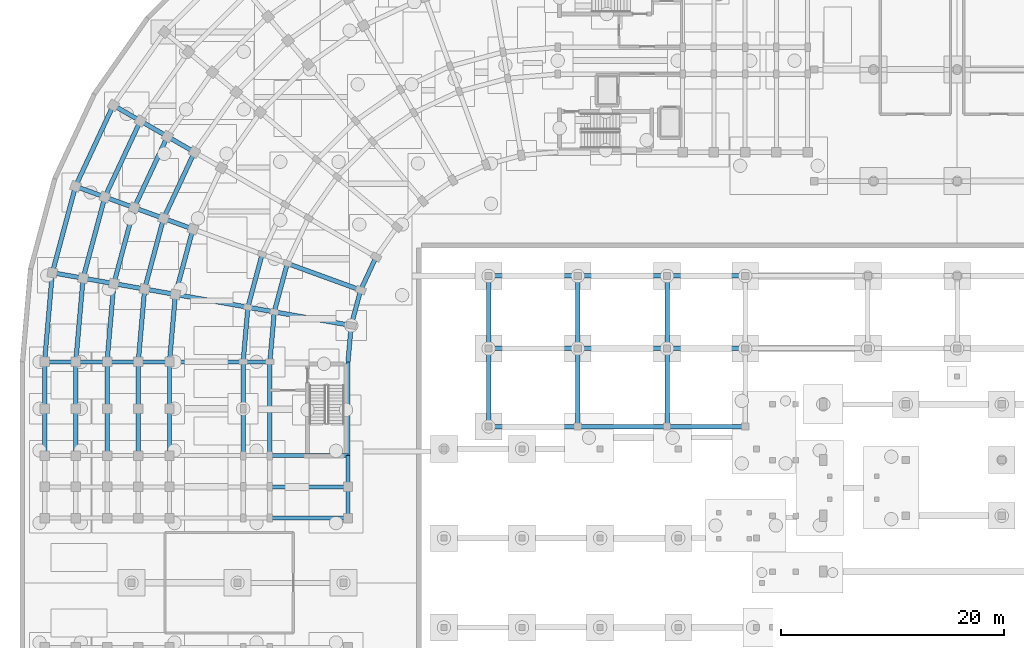
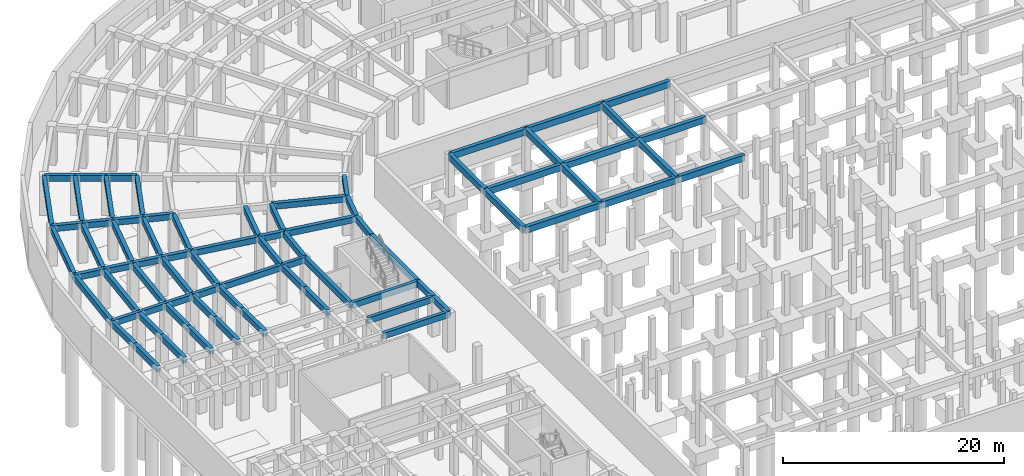
# One storey, part 22 of 53: 76 beams.
"""IFC4 building model written with IfcOpenShell, lengths in metres."""

from ifc_helpers import new_model, si_unit, direction, frame, origin, origin_2d, place, context, subcontext, project, spatial, rectangle, extrude, material, material_profile, profile_set, type_object, element, save


model = new_model("IFC4")

# Units and contexts
model_context = context("Model", 3, precision=1e-05, world=origin(), true_north=direction((0.0, 1.0)))
body_context = subcontext(model_context, "Body", "Model", "MODEL_VIEW")
ifc_project = project(units=[si_unit("LENGTHUNIT", "METRE"), si_unit("AREAUNIT", "SQUARE_METRE"), si_unit("VOLUMEUNIT", "CUBIC_METRE"), si_unit("PLANEANGLEUNIT", "RADIAN"), si_unit("MASSUNIT", "GRAM", prefix="KILO")], contexts=[model_context])

# Site, building, storey
site_placement = place(None, origin())
site = spatial("IfcSite", under=ifc_project, at=site_placement, CompositionType="ELEMENT")
building_placement = place(site_placement, origin())
building = spatial("IfcBuilding", under=site, at=building_placement, Name="Kiranvali Square Residences", CompositionType="ELEMENT")
storey_placement = place(building_placement, frame((0.0, 0.0, -4.5)))
storey = spatial("IfcBuildingStorey", under=building, at=storey_placement, Name="B1", CompositionType="ELEMENT", Elevation=-4.5)

# Beams
ifc_material_1 = material(Name="Concrete M40 (40 MPa)", Category="concrete")
ifc_material_profile_1 = material_profile(ifc_material_1, rectangle(XDim=0.35009765625, YDim=0.64990234375, at=origin_2d()), Name="RC 350x650")
ifc_profile_set_1 = profile_set([ifc_material_profile_1], Name="Concrete M40 (40 MPa)")
beam_type_1 = type_object("IfcBeamType", Name="BM-M40-350x650", PredefinedType="BEAM", material=ifc_profile_set_1)
beam_1_placement = place(storey_placement, frame((22.39990234375, 87.800048828125, 3.955078125), z_axis=(-1.0, 0.0, 0.0), x_axis=(0.0, -1.0, 0.0)))
element("IfcBeam", 1, at=beam_1_placement, inside=storey, type_object=beam_type_1, Name="B1 beam BM-A-B1-A2T0-12", PredefinedType="BEAM", context=body_context, shape_type="SweptSolid", body=[
    extrude(rectangle(XDim=0.35009765625, YDim=0.64990234375, at=origin_2d()), origin(), (0.0, 0.0, 1.0), 2.39990234375),
])
beam_2_placement = place(storey_placement, frame((20.0, 87.800048828125, 3.955078125), z_axis=(-1.0, 0.0, 0.0), x_axis=(0.0, -1.0, 0.0)))
element("IfcBeam", 2, at=beam_2_placement, inside=storey, type_object=beam_type_1, Name="B1 beam BM-A-B1-A2T0-23", PredefinedType="BEAM", context=body_context, shape_type="SweptSolid", body=[
    extrude(rectangle(XDim=0.35009765625, YDim=0.64990234375, at=origin_2d()), origin(), (0.0, 0.0, 1.0), 6.60009765625),
])
beam_3_placement = place(storey_placement, frame((13.39990234375, 87.800048828125, 3.955078125), z_axis=(-1.0, 0.0, 0.0), x_axis=(0.0, -1.0, 0.0)))
element("IfcBeam", 3, at=beam_3_placement, inside=storey, type_object=beam_type_1, Name="B1 beam BM-A-B1-A2T0-34", PredefinedType="BEAM", context=body_context, shape_type="SweptSolid", body=[
    extrude(rectangle(XDim=0.35009765625, YDim=0.64990234375, at=origin_2d()), origin(), (0.0, 0.0, 1.0), 2.7998046875),
])
for number, where, z_axis, x_axis, name in (
    (4, (10.60009765625, 87.800048828125, 3.955078125), (-1.0, 0.0, 0.0), (0.0, -1.0, 0.0), "B1 beam BM-A-B1-A2T0-45"),
    (5, (7.800048828125, 87.800048828125, 3.955078125), (-1.0, 0.0, 0.0), (0.0, -1.0, 0.0), "B1 beam BM-A-B1-A2T0-56"),
    (6, (5.0, 87.800048828125, 3.955078125), (-1.0, 0.0, 0.0), (0.0, -1.0, 0.0), "B1 beam BM-A-B1-A2T0-67"),
):
    element("IfcBeam", number, at=place(storey_placement, frame(where, z_axis=z_axis, x_axis=x_axis)), inside=storey, type_object=beam_type_1, Name=name, PredefinedType="BEAM", context=body_context, shape_type="SweptSolid", body=[
        extrude(rectangle(XDim=0.35009765625, YDim=0.64990234375, at=origin_2d()), origin(), (0.0, 0.0, 1.0), 2.800048828125),
    ])
for number, where, z_axis, x_axis, name in (
    (7, (29.39990234375, 79.39990234375, 3.955078125), (-1.0, 0.0, 0.0), (0.0, -1.0, 0.0), "B1 beam BM-A-B1-A2T1-01"),
    (8, (29.39990234375, 76.60009765625, 3.955078125), (-1.0, 0.0, 0.0), (0.0, -1.0, 0.0), "B1 beam BM-A-B1-A2T2-01"),
    (9, (29.39990234375, 73.800048828125, 3.955078125), (-1.0, 0.0, 0.0), (0.0, -1.0, 0.0), "B1 beam BM-A-B1-A2T3-01"),
):
    element("IfcBeam", number, at=place(storey_placement, frame(where, z_axis=z_axis, x_axis=x_axis)), inside=storey, type_object=beam_type_1, Name=name, PredefinedType="BEAM", context=body_context, shape_type="SweptSolid", body=[
        extrude(rectangle(XDim=0.35009765625, YDim=0.64990234375, at=origin_2d()), origin(), (0.0, 0.0, 1.0), 7.0),
    ])
ifc_material_2 = material(Name="Concrete M45 (45 MPa)", Category="concrete")
ifc_material_profile_2 = material_profile(ifc_material_2, rectangle(XDim=0.39990234375, YDim=0.64990234375, at=origin_2d()), Name="RC 400x650")
ifc_profile_set_2 = profile_set([ifc_material_profile_2], Name="Concrete M45 (45 MPa)")
beam_type_2 = type_object("IfcBeamType", Name="BM-M45-400x650", PredefinedType="BEAM", material=ifc_profile_set_2)
beam_4_placement = place(storey_placement, frame((31.918701171875, 97.199951171875, 3.955078125), z_axis=(-0.422640740585, -0.90629730464, 0.0), x_axis=(0.90629730464, -0.422640740585, 0.0)))
element("IfcBeam", 10, at=beam_4_placement, inside=storey, type_object=beam_type_2, Name="B1 beam BM-A-B1-C06-R0", PredefinedType="BEAM", context=body_context, shape_type="SweptSolid", body=[
    extrude(rectangle(XDim=0.39990234375, YDim=0.64990234375, at=origin_2d()), origin(), (0.0, 0.0, 1.0), 3.277099609375),
])
beam_5_placement = place(storey_placement, frame((15.637451171875, 106.60009765625, 3.955078125), z_axis=(-0.422595876255, -0.906318225223, 0.0), x_axis=(0.906318225223, -0.422595876255, 0.0)))
element("IfcBeam", 11, at=beam_5_placement, inside=storey, type_object=beam_type_2, Name="B1 beam BM-A-B1-C06-R4", PredefinedType="BEAM", context=body_context, shape_type="SweptSolid", body=[
    extrude(rectangle(XDim=0.39990234375, YDim=0.64990234375, at=origin_2d()), origin(), (0.0, 0.0, 1.0), 6.55419921875),
])
beam_6_placement = place(storey_placement, frame((13.212646484375, 108.0, 3.955078125), z_axis=(-0.422640621205, -0.906297360311, 0.0), x_axis=(0.906297360311, -0.422640621205, 0.0)))
element("IfcBeam", 12, at=beam_6_placement, inside=storey, type_object=beam_type_2, Name="B1 beam BM-A-B1-C06-R5", PredefinedType="BEAM", context=body_context, shape_type="SweptSolid", body=[
    extrude(rectangle(XDim=0.39990234375, YDim=0.64990234375, at=origin_2d()), origin(), (0.0, 0.0, 1.0), 7.042236328125),
])
beam_7_placement = place(storey_placement, frame((10.78759765625, 109.39990234375, 3.955078125), z_axis=(-0.422613886933, -0.90630982703, 0.0), x_axis=(0.90630982703, -0.422613886933, 0.0)))
element("IfcBeam", 13, at=beam_7_placement, inside=storey, type_object=beam_type_2, Name="B1 beam BM-A-B1-C06-R6", PredefinedType="BEAM", context=body_context, shape_type="SweptSolid", body=[
    extrude(rectangle(XDim=0.39990234375, YDim=0.64990234375, at=origin_2d()), origin(), (0.0, 0.0, 1.0), 7.5302734375),
])
beam_8_placement = place(storey_placement, frame((8.36279296875, 110.800048828125, 3.955078125), z_axis=(-0.422615416827, -0.906309113636, 0.0), x_axis=(0.906309113636, -0.422615416827, 0.0)))
element("IfcBeam", 14, at=beam_8_placement, inside=storey, type_object=beam_type_2, Name="B1 beam BM-A-B1-C06-R7", PredefinedType="BEAM", context=body_context, shape_type="SweptSolid", body=[
    extrude(rectangle(XDim=0.39990234375, YDim=0.64990234375, at=origin_2d()), origin(), (0.0, 0.0, 1.0), 8.018310546875),
])
beam_9_placement = place(storey_placement, frame((30.53369140625, 94.22998046875, 3.955078125), z_axis=(-0.258821736607, -0.965925105099, 0.0), x_axis=(0.965925105099, -0.258821736607, 0.0)))
element("IfcBeam", 15, at=beam_9_placement, inside=storey, type_object=beam_type_2, Name="B1 beam BM-A-B1-C07-R0", PredefinedType="BEAM", context=body_context, shape_type="SweptSolid", body=[
    extrude(rectangle(XDim=0.39990234375, YDim=0.64990234375, at=origin_2d()), origin(), (0.0, 0.0, 1.0), 3.27685546875),
])
beam_10_placement = place(storey_placement, frame((23.955810546875, 96.6240234375, 3.955078125), z_axis=(-0.258787642463, -0.965934240054, 0.0), x_axis=(0.965934240054, -0.258787642463, 0.0)))
element("IfcBeam", 16, at=beam_10_placement, inside=storey, type_object=beam_type_2, Name="B1 beam BM-A-B1-C07-R1", PredefinedType="BEAM", context=body_context, shape_type="SweptSolid", body=[
    extrude(rectangle(XDim=0.39990234375, YDim=0.64990234375, at=origin_2d()), origin(), (0.0, 0.0, 1.0), 4.497314453125),
])
beam_11_placement = place(storey_placement, frame((21.70068359375, 97.445068359375, 3.955078125), z_axis=(-0.258803112091, -0.965930095386, 0.0), x_axis=(0.965930095386, -0.258803112091, 0.0)))
element("IfcBeam", 17, at=beam_11_placement, inside=storey, type_object=beam_type_2, Name="B1 beam BM-A-B1-C07-R2", PredefinedType="BEAM", context=body_context, shape_type="SweptSolid", body=[
    extrude(rectangle(XDim=0.39990234375, YDim=0.64990234375, at=origin_2d()), origin(), (0.0, 0.0, 1.0), 4.915771484375),
])
beam_12_placement = place(storey_placement, frame((15.498779296875, 99.702392578125, 3.955078125), z_axis=(-0.258827283048, -0.965923618901, 0.0), x_axis=(0.965923618901, -0.258827283048, 0.0)))
element("IfcBeam", 18, at=beam_12_placement, inside=storey, type_object=beam_type_2, Name="B1 beam BM-A-B1-C07-R3", PredefinedType="BEAM", context=body_context, shape_type="SweptSolid", body=[
    extrude(rectangle(XDim=0.39990234375, YDim=0.64990234375, at=origin_2d()), origin(), (0.0, 0.0, 1.0), 6.066162109375),
])
beam_13_placement = place(storey_placement, frame((12.86767578125, 100.659912109375, 3.955078125), z_axis=(-0.258847178297, -0.965918287583, 0.0), x_axis=(0.965918287583, -0.258847178297, 0.0)))
element("IfcBeam", 19, at=beam_13_placement, inside=storey, type_object=beam_type_2, Name="B1 beam BM-A-B1-C07-R4", PredefinedType="BEAM", context=body_context, shape_type="SweptSolid", body=[
    extrude(rectangle(XDim=0.39990234375, YDim=0.64990234375, at=origin_2d()), origin(), (0.0, 0.0, 1.0), 6.55419921875),
])
beam_14_placement = place(storey_placement, frame((10.236328125, 101.61767578125, 3.955078125), z_axis=(-0.258799624492, -0.965931029817, 0.0), x_axis=(0.965931029817, -0.258799624492, 0.0)))
element("IfcBeam", 20, at=beam_14_placement, inside=storey, type_object=beam_type_2, Name="B1 beam BM-A-B1-C07-R5", PredefinedType="BEAM", context=body_context, shape_type="SweptSolid", body=[
    extrude(rectangle(XDim=0.39990234375, YDim=0.64990234375, at=origin_2d()), origin(), (0.0, 0.0, 1.0), 7.042236328125),
])
beam_15_placement = place(storey_placement, frame((7.605224609375, 102.5751953125, 3.955078125), z_axis=(-0.258818733833, -0.965925909693, 0.0), x_axis=(0.965925909693, -0.258818733833, 0.0)))
element("IfcBeam", 21, at=beam_15_placement, inside=storey, type_object=beam_type_2, Name="B1 beam BM-A-B1-C07-R6", PredefinedType="BEAM", context=body_context, shape_type="SweptSolid", body=[
    extrude(rectangle(XDim=0.39990234375, YDim=0.64990234375, at=origin_2d()), origin(), (0.0, 0.0, 1.0), 7.5302734375),
])
beam_16_placement = place(storey_placement, frame((4.97412109375, 103.532958984375, 3.955078125), z_axis=(-0.258807108475, -0.96592902462, 0.0), x_axis=(0.96592902462, -0.258807108475, 0.0)))
element("IfcBeam", 22, at=beam_16_placement, inside=storey, type_object=beam_type_2, Name="B1 beam BM-A-B1-C07-R7", PredefinedType="BEAM", context=body_context, shape_type="SweptSolid", body=[
    extrude(rectangle(XDim=0.39990234375, YDim=0.64990234375, at=origin_2d()), origin(), (0.0, 0.0, 1.0), 8.018310546875),
])
beam_17_placement = place(storey_placement, frame((29.685546875, 91.064697265625, 3.955078125), z_axis=(-0.087163253657, -0.996194040944, 0.0), x_axis=(0.996194040944, -0.087163253657, 0.0)))
element("IfcBeam", 23, at=beam_17_placement, inside=storey, type_object=beam_type_2, Name="B1 beam BM-A-B1-C08-R0", PredefinedType="BEAM", context=body_context, shape_type="SweptSolid", body=[
    extrude(rectangle(XDim=0.39990234375, YDim=0.64990234375, at=origin_2d()), origin(), (0.0, 0.0, 1.0), 3.277099609375),
])
beam_18_placement = place(storey_placement, frame((22.7919921875, 92.280029296875, 3.955078125), z_axis=(-0.087187153726, -0.996191949488, 0.0), x_axis=(0.996191949488, -0.087187153726, 0.0)))
element("IfcBeam", 24, at=beam_18_placement, inside=storey, type_object=beam_type_2, Name="B1 beam BM-A-B1-C08-R1", PredefinedType="BEAM", context=body_context, shape_type="SweptSolid", body=[
    extrude(rectangle(XDim=0.39990234375, YDim=0.64990234375, at=origin_2d()), origin(), (0.0, 0.0, 1.0), 4.4970703125),
])
beam_19_placement = place(storey_placement, frame((20.428466796875, 92.69677734375, 3.955078125), z_axis=(-0.087167566415, -0.996193663584, 0.0), x_axis=(0.996193663584, -0.087167566415, 0.0)))
element("IfcBeam", 25, at=beam_19_placement, inside=storey, type_object=beam_type_2, Name="B1 beam BM-A-B1-C08-R2", PredefinedType="BEAM", context=body_context, shape_type="SweptSolid", body=[
    extrude(rectangle(XDim=0.39990234375, YDim=0.64990234375, at=origin_2d()), origin(), (0.0, 0.0, 1.0), 4.91552734375),
])
beam_20_placement = place(storey_placement, frame((13.9287109375, 93.843017578125, 3.955078125), z_axis=(-0.087174938512, -0.996193018494, 0.0), x_axis=(0.996193018494, -0.087174938512, 0.0)))
element("IfcBeam", 26, at=beam_20_placement, inside=storey, type_object=beam_type_2, Name="B1 beam BM-A-B1-C08-R3", PredefinedType="BEAM", context=body_context, shape_type="SweptSolid", body=[
    extrude(rectangle(XDim=0.39990234375, YDim=0.64990234375, at=origin_2d()), origin(), (0.0, 0.0, 1.0), 6.066162109375),
])
beam_21_placement = place(storey_placement, frame((11.171142578125, 94.3291015625, 3.955078125), z_axis=(-0.0871295204, -0.996196991902, 0.0), x_axis=(0.996196991902, -0.0871295204, 0.0)))
element("IfcBeam", 27, at=beam_21_placement, inside=storey, type_object=beam_type_2, Name="B1 beam BM-A-B1-C08-R4", PredefinedType="BEAM", context=body_context, shape_type="SweptSolid", body=[
    extrude(rectangle(XDim=0.39990234375, YDim=0.64990234375, at=origin_2d()), origin(), (0.0, 0.0, 1.0), 6.553955078125),
])
beam_22_placement = place(storey_placement, frame((8.413818359375, 94.8154296875, 3.955078125), z_axis=(-0.087156198737, -0.996194658198, 0.0), x_axis=(0.996194658198, -0.087156198737, 0.0)))
element("IfcBeam", 28, at=beam_22_placement, inside=storey, type_object=beam_type_2, Name="B1 beam BM-A-B1-C08-R5", PredefinedType="BEAM", context=body_context, shape_type="SweptSolid", body=[
    extrude(rectangle(XDim=0.39990234375, YDim=0.64990234375, at=origin_2d()), origin(), (0.0, 0.0, 1.0), 7.042236328125),
])
beam_23_placement = place(storey_placement, frame((5.65625, 95.301513671875, 3.955078125), z_axis=(-0.087150058103, -0.996195195417, 0.0), x_axis=(0.996195195417, -0.087150058103, 0.0)))
element("IfcBeam", 29, at=beam_23_placement, inside=storey, type_object=beam_type_2, Name="B1 beam BM-A-B1-C08-R6", PredefinedType="BEAM", context=body_context, shape_type="SweptSolid", body=[
    extrude(rectangle(XDim=0.39990234375, YDim=0.64990234375, at=origin_2d()), origin(), (0.0, 0.0, 1.0), 7.530029296875),
])
beam_24_placement = place(storey_placement, frame((2.89892578125, 95.787841796875, 3.955078125), z_axis=(-0.087172238171, -0.996193254792, 0.0), x_axis=(0.996193254792, -0.087172238171, 0.0)))
element("IfcBeam", 30, at=beam_24_placement, inside=storey, type_object=beam_type_2, Name="B1 beam BM-A-B1-C08-R7", PredefinedType="BEAM", context=body_context, shape_type="SweptSolid", body=[
    extrude(rectangle(XDim=0.39990234375, YDim=0.64990234375, at=origin_2d()), origin(), (0.0, 0.0, 1.0), 8.018310546875),
])
beam_25_placement = place(storey_placement, frame((15.637451171875, 106.60009765625, 3.955078125), z_axis=(-0.866034573852, 0.49998411664, 0.0), x_axis=(-0.49998411664, -0.866034573852, 0.0)))
element("IfcBeam", 31, at=beam_25_placement, inside=storey, type_object=beam_type_2, Name="B1 beam BM-A-B1-RAD06-45", PredefinedType="BEAM", context=body_context, shape_type="SweptSolid", body=[
    extrude(rectangle(XDim=0.39990234375, YDim=0.64990234375, at=origin_2d()), origin(), (0.0, 0.0, 1.0), 2.7998046875),
])
for number, where, z_axis, x_axis, name in (
    (32, (13.212646484375, 108.0, 3.955078125), (-0.866056369097, 0.49994636267, 0.0), (-0.49994636267, -0.866056369097, 0.0), "B1 beam BM-A-B1-RAD06-56"),
    (33, (10.78759765625, 109.39990234375, 3.955078125), (-0.865996816683, 0.500049511043, 0.0), (-0.500049511043, -0.865996816683, 0.0), "B1 beam BM-A-B1-RAD06-67"),
):
    element("IfcBeam", number, at=place(storey_placement, frame(where, z_axis=z_axis, x_axis=x_axis)), inside=storey, type_object=beam_type_2, Name=name, PredefinedType="BEAM", context=body_context, shape_type="SweptSolid", body=[
        extrude(rectangle(XDim=0.39990234375, YDim=0.64990234375, at=origin_2d()), origin(), (0.0, 0.0, 1.0), 2.800048828125),
    ])
beam_26_placement = place(storey_placement, frame((30.53369140625, 94.22998046875, 3.955078125), z_axis=(-0.939697665127, 0.342006283793, 0.0), x_axis=(-0.342006283793, -0.939697665127, 0.0)))
element("IfcBeam", 34, at=beam_26_placement, inside=storey, type_object=beam_type_2, Name="B1 beam BM-A-B1-RAD07-01", PredefinedType="BEAM", context=body_context, shape_type="SweptSolid", body=[
    extrude(rectangle(XDim=0.39990234375, YDim=0.64990234375, at=origin_2d()), origin(), (0.0, 0.0, 1.0), 7.0),
])
beam_27_placement = place(storey_placement, frame((15.498779296875, 99.702392578125, 3.955078125), z_axis=(-0.93970683422, 0.341981089711, 0.0), x_axis=(-0.341981089711, -0.93970683422, 0.0)))
element("IfcBeam", 35, at=beam_27_placement, inside=storey, type_object=beam_type_2, Name="B1 beam BM-A-B1-RAD07-34", PredefinedType="BEAM", context=body_context, shape_type="SweptSolid", body=[
    extrude(rectangle(XDim=0.39990234375, YDim=0.64990234375, at=origin_2d()), origin(), (0.0, 0.0, 1.0), 2.7998046875),
])
beam_28_placement = place(storey_placement, frame((12.86767578125, 100.659912109375, 3.955078125), z_axis=(-0.939689011208, 0.342030060398, 0.0), x_axis=(-0.342030060398, -0.939689011208, 0.0)))
element("IfcBeam", 36, at=beam_28_placement, inside=storey, type_object=beam_type_2, Name="B1 beam BM-A-B1-RAD07-45", PredefinedType="BEAM", context=body_context, shape_type="SweptSolid", body=[
    extrude(rectangle(XDim=0.39990234375, YDim=0.64990234375, at=origin_2d()), origin(), (0.0, 0.0, 1.0), 2.80029296875),
])
beam_29_placement = place(storey_placement, frame((10.236328125, 101.61767578125, 3.955078125), z_axis=(-0.93970683422, 0.341981089711, 0.0), x_axis=(-0.341981089711, -0.93970683422, 0.0)))
element("IfcBeam", 37, at=beam_29_placement, inside=storey, type_object=beam_type_2, Name="B1 beam BM-A-B1-RAD07-56", PredefinedType="BEAM", context=body_context, shape_type="SweptSolid", body=[
    extrude(rectangle(XDim=0.39990234375, YDim=0.64990234375, at=origin_2d()), origin(), (0.0, 0.0, 1.0), 2.7998046875),
])
beam_30_placement = place(storey_placement, frame((7.605224609375, 102.5751953125, 3.955078125), z_axis=(-0.939678810556, 0.342058084236, 0.0), x_axis=(-0.342058084236, -0.939678810556, 0.0)))
element("IfcBeam", 38, at=beam_30_placement, inside=storey, type_object=beam_type_2, Name="B1 beam BM-A-B1-RAD07-67", PredefinedType="BEAM", context=body_context, shape_type="SweptSolid", body=[
    extrude(rectangle(XDim=0.39990234375, YDim=0.64990234375, at=origin_2d()), origin(), (0.0, 0.0, 1.0), 2.800048828125),
])
beam_31_placement = place(storey_placement, frame((29.685546875, 91.064697265625, 3.955078125), z_axis=(-0.984812337125, 0.173622177865, 0.0), x_axis=(-0.173622177865, -0.984812337125, 0.0)))
element("IfcBeam", 39, at=beam_31_placement, inside=storey, type_object=beam_type_2, Name="B1 beam BM-A-B1-RAD08-01", PredefinedType="BEAM", context=body_context, shape_type="SweptSolid", body=[
    extrude(rectangle(XDim=0.39990234375, YDim=0.64990234375, at=origin_2d()), origin(), (0.0, 0.0, 1.0), 6.999755859375),
])
beam_32_placement = place(storey_placement, frame((22.7919921875, 92.280029296875, 3.955078125), z_axis=(-0.984808127031, 0.173646056486, 0.0), x_axis=(-0.173646056486, -0.984808127031, 0.0)))
element("IfcBeam", 40, at=beam_32_placement, inside=storey, type_object=beam_type_2, Name="B1 beam BM-A-B1-RAD08-12", PredefinedType="BEAM", context=body_context, shape_type="SweptSolid", body=[
    extrude(rectangle(XDim=0.39990234375, YDim=0.64990234375, at=origin_2d()), origin(), (0.0, 0.0, 1.0), 2.39990234375),
])
beam_33_placement = place(storey_placement, frame((20.428466796875, 92.69677734375, 3.955078125), z_axis=(-0.984803661269, 0.173671381499, 0.0), x_axis=(-0.173671381499, -0.984803661269, 0.0)))
element("IfcBeam", 41, at=beam_33_placement, inside=storey, type_object=beam_type_2, Name="B1 beam BM-A-B1-RAD08-23", PredefinedType="BEAM", context=body_context, shape_type="SweptSolid", body=[
    extrude(rectangle(XDim=0.39990234375, YDim=0.64990234375, at=origin_2d()), origin(), (0.0, 0.0, 1.0), 6.60009765625),
])
beam_34_placement = place(storey_placement, frame((13.9287109375, 93.843017578125, 3.955078125), z_axis=(-0.984816895441, 0.173596320392, 0.0), x_axis=(-0.173596320392, -0.984816895441, 0.0)))
element("IfcBeam", 42, at=beam_34_placement, inside=storey, type_object=beam_type_2, Name="B1 beam BM-A-B1-RAD08-34", PredefinedType="BEAM", context=body_context, shape_type="SweptSolid", body=[
    extrude(rectangle(XDim=0.39990234375, YDim=0.64990234375, at=origin_2d()), origin(), (0.0, 0.0, 1.0), 2.800048828125),
])
beam_35_placement = place(storey_placement, frame((11.171142578125, 94.3291015625, 3.955078125), z_axis=(-0.984799355489, 0.173695795656, 0.0), x_axis=(-0.173695795656, -0.984799355489, 0.0)))
element("IfcBeam", 43, at=beam_35_placement, inside=storey, type_object=beam_type_2, Name="B1 beam BM-A-B1-RAD08-45", PredefinedType="BEAM", context=body_context, shape_type="SweptSolid", body=[
    extrude(rectangle(XDim=0.39990234375, YDim=0.64990234375, at=origin_2d()), origin(), (0.0, 0.0, 1.0), 2.7998046875),
])
beam_36_placement = place(storey_placement, frame((8.413818359375, 94.8154296875, 3.955078125), z_axis=(-0.984816895441, 0.173596320392, 0.0), x_axis=(-0.173596320392, -0.984816895441, 0.0)))
element("IfcBeam", 44, at=beam_36_placement, inside=storey, type_object=beam_type_2, Name="B1 beam BM-A-B1-RAD08-56", PredefinedType="BEAM", context=body_context, shape_type="SweptSolid", body=[
    extrude(rectangle(XDim=0.39990234375, YDim=0.64990234375, at=origin_2d()), origin(), (0.0, 0.0, 1.0), 2.800048828125),
])
beam_37_placement = place(storey_placement, frame((5.65625, 95.301513671875, 3.955078125), z_axis=(-0.984799355489, 0.173695795656, 0.0), x_axis=(-0.173695795656, -0.984799355489, 0.0)))
element("IfcBeam", 45, at=beam_37_placement, inside=storey, type_object=beam_type_2, Name="B1 beam BM-A-B1-RAD08-67", PredefinedType="BEAM", context=body_context, shape_type="SweptSolid", body=[
    extrude(rectangle(XDim=0.39990234375, YDim=0.64990234375, at=origin_2d()), origin(), (0.0, 0.0, 1.0), 2.7998046875),
])
beam_38_placement = place(storey_placement, frame((29.39990234375, 87.800048828125, 3.955078125), z_axis=(0.0, -1.0, 0.0), x_axis=(1.0, 0.0, 0.0)))
element("IfcBeam", 46, at=beam_38_placement, inside=storey, type_object=beam_type_2, Name="B1 beam BM-A-B1-A2V0-R0", PredefinedType="BEAM", context=body_context, shape_type="SweptSolid", body=[
    extrude(rectangle(XDim=0.39990234375, YDim=0.64990234375, at=origin_2d()), origin(), (0.0, 0.0, 1.0), 8.400146484375),
])
beam_39_placement = place(storey_placement, frame((29.39990234375, 79.39990234375, 3.955078125), z_axis=(0.0, -1.0, 0.0), x_axis=(1.0, 0.0, 0.0)))
element("IfcBeam", 47, at=beam_39_placement, inside=storey, type_object=beam_type_2, Name="B1 beam BM-A-B1-A2V1-R0", PredefinedType="BEAM", context=body_context, shape_type="SweptSolid", body=[
    extrude(rectangle(XDim=0.39990234375, YDim=0.64990234375, at=origin_2d()), origin(), (0.0, 0.0, 1.0), 2.7998046875),
])
beam_40_placement = place(storey_placement, frame((29.39990234375, 76.60009765625, 3.955078125), z_axis=(0.0, -1.0, 0.0), x_axis=(1.0, 0.0, 0.0)))
element("IfcBeam", 48, at=beam_40_placement, inside=storey, type_object=beam_type_2, Name="B1 beam BM-A-B1-A2V2-R0", PredefinedType="BEAM", context=body_context, shape_type="SweptSolid", body=[
    extrude(rectangle(XDim=0.39990234375, YDim=0.64990234375, at=origin_2d()), origin(), (0.0, 0.0, 1.0), 2.800048828125),
])
beam_41_placement = place(storey_placement, frame((22.39990234375, 87.800048828125, 3.955078125), z_axis=(0.0, -1.0, 0.0), x_axis=(1.0, 0.0, 0.0)))
element("IfcBeam", 49, at=beam_41_placement, inside=storey, type_object=beam_type_2, Name="B1 beam BM-A-B1-A2V0-R1", PredefinedType="BEAM", context=body_context, shape_type="SweptSolid", body=[
    extrude(rectangle(XDim=0.39990234375, YDim=0.64990234375, at=origin_2d()), origin(), (0.0, 0.0, 1.0), 8.400146484375),
])
beam_42_placement = place(storey_placement, frame((20.0, 87.800048828125, 3.955078125), z_axis=(0.0, -1.0, 0.0), x_axis=(1.0, 0.0, 0.0)))
element("IfcBeam", 50, at=beam_42_placement, inside=storey, type_object=beam_type_2, Name="B1 beam BM-A-B1-A2V0-R2", PredefinedType="BEAM", context=body_context, shape_type="SweptSolid", body=[
    extrude(rectangle(XDim=0.39990234375, YDim=0.64990234375, at=origin_2d()), origin(), (0.0, 0.0, 1.0), 4.199951171875),
])
beam_43_placement = place(storey_placement, frame((20.0, 83.60009765625, 3.955078125), z_axis=(0.0, -1.0, 0.0), x_axis=(1.0, 0.0, 0.0)))
element("IfcBeam", 51, at=beam_43_placement, inside=storey, type_object=beam_type_2, Name="B1 beam BM-A-B1-A2V1-R2", PredefinedType="BEAM", context=body_context, shape_type="SweptSolid", body=[
    extrude(rectangle(XDim=0.39990234375, YDim=0.64990234375, at=origin_2d()), origin(), (0.0, 0.0, 1.0), 4.2001953125),
])
beam_44_placement = place(storey_placement, frame((13.39990234375, 87.800048828125, 3.955078125), z_axis=(0.0, -1.0, 0.0), x_axis=(1.0, 0.0, 0.0)))
element("IfcBeam", 52, at=beam_44_placement, inside=storey, type_object=beam_type_2, Name="B1 beam BM-A-B1-A2V0-R3", PredefinedType="BEAM", context=body_context, shape_type="SweptSolid", body=[
    extrude(rectangle(XDim=0.39990234375, YDim=0.64990234375, at=origin_2d()), origin(), (0.0, 0.0, 1.0), 4.199951171875),
])
beam_45_placement = place(storey_placement, frame((13.39990234375, 83.60009765625, 3.955078125), z_axis=(0.0, -1.0, 0.0), x_axis=(1.0, 0.0, 0.0)))
element("IfcBeam", 53, at=beam_45_placement, inside=storey, type_object=beam_type_2, Name="B1 beam BM-A-B1-A2V1-R3", PredefinedType="BEAM", context=body_context, shape_type="SweptSolid", body=[
    extrude(rectangle(XDim=0.39990234375, YDim=0.64990234375, at=origin_2d()), origin(), (0.0, 0.0, 1.0), 4.2001953125),
])
beam_46_placement = place(storey_placement, frame((10.60009765625, 87.800048828125, 3.955078125), z_axis=(0.0, -1.0, 0.0), x_axis=(1.0, 0.0, 0.0)))
element("IfcBeam", 54, at=beam_46_placement, inside=storey, type_object=beam_type_2, Name="B1 beam BM-A-B1-A2V0-R4", PredefinedType="BEAM", context=body_context, shape_type="SweptSolid", body=[
    extrude(rectangle(XDim=0.39990234375, YDim=0.64990234375, at=origin_2d()), origin(), (0.0, 0.0, 1.0), 4.199951171875),
])
beam_47_placement = place(storey_placement, frame((10.60009765625, 83.60009765625, 3.955078125), z_axis=(0.0, -1.0, 0.0), x_axis=(1.0, 0.0, 0.0)))
element("IfcBeam", 55, at=beam_47_placement, inside=storey, type_object=beam_type_2, Name="B1 beam BM-A-B1-A2V1-R4", PredefinedType="BEAM", context=body_context, shape_type="SweptSolid", body=[
    extrude(rectangle(XDim=0.39990234375, YDim=0.64990234375, at=origin_2d()), origin(), (0.0, 0.0, 1.0), 4.2001953125),
])
beam_48_placement = place(storey_placement, frame((7.800048828125, 87.800048828125, 3.955078125), z_axis=(0.0, -1.0, 0.0), x_axis=(1.0, 0.0, 0.0)))
element("IfcBeam", 56, at=beam_48_placement, inside=storey, type_object=beam_type_2, Name="B1 beam BM-A-B1-A2V0-R5", PredefinedType="BEAM", context=body_context, shape_type="SweptSolid", body=[
    extrude(rectangle(XDim=0.39990234375, YDim=0.64990234375, at=origin_2d()), origin(), (0.0, 0.0, 1.0), 4.199951171875),
])
beam_49_placement = place(storey_placement, frame((7.800048828125, 83.60009765625, 3.955078125), z_axis=(0.0, -1.0, 0.0), x_axis=(1.0, 0.0, 0.0)))
element("IfcBeam", 57, at=beam_49_placement, inside=storey, type_object=beam_type_2, Name="B1 beam BM-A-B1-A2V1-R5", PredefinedType="BEAM", context=body_context, shape_type="SweptSolid", body=[
    extrude(rectangle(XDim=0.39990234375, YDim=0.64990234375, at=origin_2d()), origin(), (0.0, 0.0, 1.0), 4.2001953125),
])
beam_50_placement = place(storey_placement, frame((5.0, 87.800048828125, 3.955078125), z_axis=(0.0, -1.0, 0.0), x_axis=(1.0, 0.0, 0.0)))
element("IfcBeam", 58, at=beam_50_placement, inside=storey, type_object=beam_type_2, Name="B1 beam BM-A-B1-A2V0-R6", PredefinedType="BEAM", context=body_context, shape_type="SweptSolid", body=[
    extrude(rectangle(XDim=0.39990234375, YDim=0.64990234375, at=origin_2d()), origin(), (0.0, 0.0, 1.0), 4.199951171875),
])
beam_51_placement = place(storey_placement, frame((5.0, 83.60009765625, 3.955078125), z_axis=(0.0, -1.0, 0.0), x_axis=(1.0, 0.0, 0.0)))
element("IfcBeam", 59, at=beam_51_placement, inside=storey, type_object=beam_type_2, Name="B1 beam BM-A-B1-A2V1-R6", PredefinedType="BEAM", context=body_context, shape_type="SweptSolid", body=[
    extrude(rectangle(XDim=0.39990234375, YDim=0.64990234375, at=origin_2d()), origin(), (0.0, 0.0, 1.0), 4.2001953125),
])
beam_52_placement = place(storey_placement, frame((2.199951171875, 87.800048828125, 3.955078125), z_axis=(0.0, -1.0, 0.0), x_axis=(1.0, 0.0, 0.0)))
element("IfcBeam", 60, at=beam_52_placement, inside=storey, type_object=beam_type_2, Name="B1 beam BM-A-B1-A2V0-R7", PredefinedType="BEAM", context=body_context, shape_type="SweptSolid", body=[
    extrude(rectangle(XDim=0.39990234375, YDim=0.64990234375, at=origin_2d()), origin(), (0.0, 0.0, 1.0), 4.199951171875),
])
beam_53_placement = place(storey_placement, frame((2.199951171875, 83.60009765625, 3.955078125), z_axis=(0.0, -1.0, 0.0), x_axis=(1.0, 0.0, 0.0)))
element("IfcBeam", 61, at=beam_53_placement, inside=storey, type_object=beam_type_2, Name="B1 beam BM-A-B1-A2V1-R7", PredefinedType="BEAM", context=body_context, shape_type="SweptSolid", body=[
    extrude(rectangle(XDim=0.39990234375, YDim=0.64990234375, at=origin_2d()), origin(), (0.0, 0.0, 1.0), 4.2001953125),
])
ifc_material_profile_3 = material_profile(ifc_material_2, rectangle(XDim=0.39990234375, YDim=0.699951171875, at=origin_2d()), Name="RC 400x700")
ifc_profile_set_3 = profile_set([ifc_material_profile_3], Name="Concrete M45 (45 MPa)")
beam_type_3 = type_object("IfcBeamType", Name="BM-M45-400x700", PredefinedType="BEAM", material=ifc_profile_set_3)
for number, where, z_axis, x_axis, name in (
    (62, (42.0, 82.0, 3.85009765625), (1.0, 0.0, 0.0), (0.0, 1.0, 0.0), "B1 beam BM-B1-GDNX-820-1"),
    (63, (50.0, 82.0, 3.85009765625), (1.0, 0.0, 0.0), (0.0, 1.0, 0.0), "B1 beam BM-B1-GDNX-820-2"),
):
    element("IfcBeam", number, at=place(storey_placement, frame(where, z_axis=z_axis, x_axis=x_axis)), inside=storey, type_object=beam_type_3, Name=name, PredefinedType="BEAM", context=body_context, shape_type="SweptSolid", body=[
        extrude(rectangle(XDim=0.39990234375, YDim=0.699951171875, at=origin_2d()), origin(), (0.0, 0.0, 1.0), 8.0),
    ])
beam_54_placement = place(storey_placement, frame((58.0, 82.0, 3.85009765625), z_axis=(1.0, 0.0, 0.0), x_axis=(0.0, 1.0, 0.0)))
element("IfcBeam", 64, at=beam_54_placement, inside=storey, type_object=beam_type_3, Name="B1 beam BM-B1-GDNX-820-3", PredefinedType="BEAM", context=body_context, shape_type="SweptSolid", body=[
    extrude(rectangle(XDim=0.39990234375, YDim=0.699951171875, at=origin_2d()), origin(), (0.0, 0.0, 1.0), 7.0),
])
for number, where, z_axis, x_axis, name in (
    (65, (42.0, 89.0, 3.85009765625), (1.0, 0.0, 0.0), (0.0, 1.0, 0.0), "B1 beam BM-B1-GDNX-890-1"),
    (66, (50.0, 89.0, 3.85009765625), (1.0, 0.0, 0.0), (0.0, 1.0, 0.0), "B1 beam BM-B1-GDNX-890-2"),
):
    element("IfcBeam", number, at=place(storey_placement, frame(where, z_axis=z_axis, x_axis=x_axis)), inside=storey, type_object=beam_type_3, Name=name, PredefinedType="BEAM", context=body_context, shape_type="SweptSolid", body=[
        extrude(rectangle(XDim=0.39990234375, YDim=0.699951171875, at=origin_2d()), origin(), (0.0, 0.0, 1.0), 8.0),
    ])
beam_55_placement = place(storey_placement, frame((58.0, 89.0, 3.85009765625), z_axis=(1.0, 0.0, 0.0), x_axis=(0.0, 1.0, 0.0)))
element("IfcBeam", 67, at=beam_55_placement, inside=storey, type_object=beam_type_3, Name="B1 beam BM-B1-GDNX-890-3", PredefinedType="BEAM", context=body_context, shape_type="SweptSolid", body=[
    extrude(rectangle(XDim=0.39990234375, YDim=0.699951171875, at=origin_2d()), origin(), (0.0, 0.0, 1.0), 7.0),
])
for number, where, z_axis, x_axis, name in (
    (68, (42.0, 95.5, 3.85009765625), (1.0, 0.0, 0.0), (0.0, 1.0, 0.0), "B1 beam BM-B1-GDNX-955-1"),
    (69, (50.0, 95.5, 3.85009765625), (1.0, 0.0, 0.0), (0.0, 1.0, 0.0), "B1 beam BM-B1-GDNX-955-2"),
):
    element("IfcBeam", number, at=place(storey_placement, frame(where, z_axis=z_axis, x_axis=x_axis)), inside=storey, type_object=beam_type_3, Name=name, PredefinedType="BEAM", context=body_context, shape_type="SweptSolid", body=[
        extrude(rectangle(XDim=0.39990234375, YDim=0.699951171875, at=origin_2d()), origin(), (0.0, 0.0, 1.0), 8.0),
    ])
for number, where, z_axis, x_axis, name in (
    (70, (58.0, 95.5, 3.85009765625), (1.0, 0.0, 0.0), (0.0, 1.0, 0.0), "B1 beam BM-B1-GDNX-955-3"),
    (71, (42.0, 82.0, 3.85009765625), (0.0, 1.0, 0.0), (-1.0, 0.0, 0.0), "B1 beam BM-B1-GDNY-420-6"),
):
    element("IfcBeam", number, at=place(storey_placement, frame(where, z_axis=z_axis, x_axis=x_axis)), inside=storey, type_object=beam_type_3, Name=name, PredefinedType="BEAM", context=body_context, shape_type="SweptSolid", body=[
        extrude(rectangle(XDim=0.39990234375, YDim=0.699951171875, at=origin_2d()), origin(), (0.0, 0.0, 1.0), 7.0),
    ])
beam_56_placement = place(storey_placement, frame((42.0, 89.0, 3.85009765625), z_axis=(0.0, 1.0, 0.0), x_axis=(-1.0, 0.0, 0.0)))
element("IfcBeam", 72, at=beam_56_placement, inside=storey, type_object=beam_type_3, Name="B1 beam BM-B1-GDNY-420-7", PredefinedType="BEAM", context=body_context, shape_type="SweptSolid", body=[
    extrude(rectangle(XDim=0.39990234375, YDim=0.699951171875, at=origin_2d()), origin(), (0.0, 0.0, 1.0), 6.5),
])
beam_57_placement = place(storey_placement, frame((50.0, 82.0, 3.85009765625), z_axis=(0.0, 1.0, 0.0), x_axis=(-1.0, 0.0, 0.0)))
element("IfcBeam", 73, at=beam_57_placement, inside=storey, type_object=beam_type_3, Name="B1 beam BM-B1-GDNY-500-6", PredefinedType="BEAM", context=body_context, shape_type="SweptSolid", body=[
    extrude(rectangle(XDim=0.39990234375, YDim=0.699951171875, at=origin_2d()), origin(), (0.0, 0.0, 1.0), 7.0),
])
beam_58_placement = place(storey_placement, frame((50.0, 89.0, 3.85009765625), z_axis=(0.0, 1.0, 0.0), x_axis=(-1.0, 0.0, 0.0)))
element("IfcBeam", 74, at=beam_58_placement, inside=storey, type_object=beam_type_3, Name="B1 beam BM-B1-GDNY-500-7", PredefinedType="BEAM", context=body_context, shape_type="SweptSolid", body=[
    extrude(rectangle(XDim=0.39990234375, YDim=0.699951171875, at=origin_2d()), origin(), (0.0, 0.0, 1.0), 6.5),
])
beam_59_placement = place(storey_placement, frame((58.0, 82.0, 3.85009765625), z_axis=(0.0, 1.0, 0.0), x_axis=(-1.0, 0.0, 0.0)))
element("IfcBeam", 75, at=beam_59_placement, inside=storey, type_object=beam_type_3, Name="B1 beam BM-B1-GDNY-580-6", PredefinedType="BEAM", context=body_context, shape_type="SweptSolid", body=[
    extrude(rectangle(XDim=0.39990234375, YDim=0.699951171875, at=origin_2d()), origin(), (0.0, 0.0, 1.0), 7.0),
])
beam_60_placement = place(storey_placement, frame((58.0, 89.0, 3.85009765625), z_axis=(0.0, 1.0, 0.0), x_axis=(-1.0, 0.0, 0.0)))
element("IfcBeam", 76, at=beam_60_placement, inside=storey, type_object=beam_type_3, Name="B1 beam BM-B1-GDNY-580-7", PredefinedType="BEAM", context=body_context, shape_type="SweptSolid", body=[
    extrude(rectangle(XDim=0.39990234375, YDim=0.699951171875, at=origin_2d()), origin(), (0.0, 0.0, 1.0), 6.5),
])

save(model, "model.ifc")
